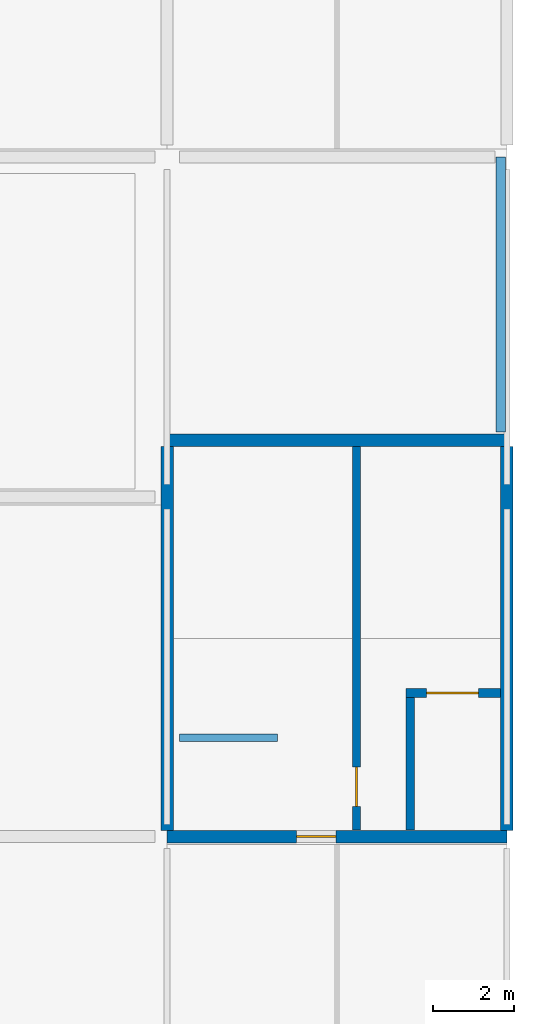
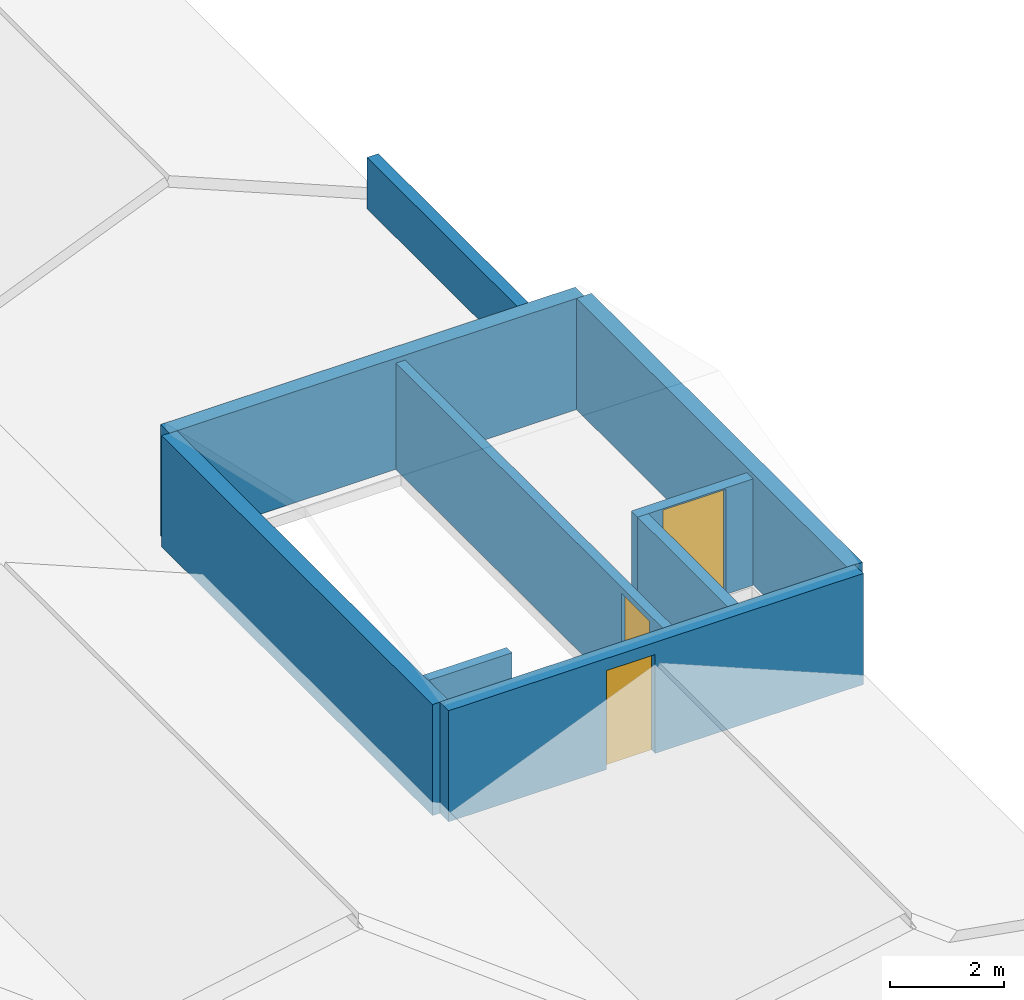
# One storey, part 13 of 14: 9 walls, 3 doors, 3 openings.
"""IFC4 building model written with IfcOpenShell, lengths in metres."""

import ifcopenshell
import ifcopenshell.guid

model = None  # the IFC model being written
_history = None  # IfcOwnerHistory: only IFC2X3 demands one
_inside = {}  # id of a spatial element -> (the spatial element, [elements in it])
_under = {}  # id of a project, library or spatial element -> (it, [spatial elements below it])
_declared = {}  # id of a project -> (the project, [libraries it declares])
_typed = {}  # id of a type object -> (the type object, [elements of that type])
_made_of = {}  # id of a material, layer set ... -> (it, [elements and type objects made of it])


def new_model(schema):
    """Start an empty IFC model of exactly this schema.

    Asked for "IFC4X3", IfcOpenShell would pick the latest addendum, in which some entities
    have other attributes; the version numbers below select the first issue.
    IFC2X3 requires an IfcOwnerHistory on every rooted entity: one is made here for all.
    """
    global model, _history
    if schema == "IFC4X3":
        model = ifcopenshell.file(schema_version=(4, 3, 0, 0))
    else:
        model = ifcopenshell.file(schema=schema)
    _inside.clear()
    _under.clear()
    _declared.clear()
    _typed.clear()
    _made_of.clear()
    _history = None
    if model.schema == "IFC2X3":
        org = make("IfcOrganization", Name="unknown")
        user = make(
            "IfcPersonAndOrganization",
            ThePerson=make("IfcPerson", FamilyName="unknown"),
            TheOrganization=org,
        )
        app = make(
            "IfcApplication",
            ApplicationDeveloper=org,
            Version="unknown",
            ApplicationFullName="unknown",
            ApplicationIdentifier="unknown",
        )
        _history = make(
            "IfcOwnerHistory",
            OwningUser=user,
            OwningApplication=app,
            ChangeAction="ADDED",
            CreationDate=0,
        )
    return model


def make(cls, **values):
    """One entity of the class cls with the attributes given. An attribute that is None is left unset."""
    return model.create_entity(
        cls, **{name: value for name, value in values.items() if value is not None}
    )


def rooted(cls, **values):
    """An entity with a GlobalId (a new one), such as an element, a storey or a relation."""
    return make(cls, GlobalId=ifcopenshell.guid.new(), OwnerHistory=_history, **values)


def si_unit(unit_type, name, prefix=None):
    """IfcSIUnit, for example si_unit("LENGTHUNIT", "METRE", prefix="MILLI")."""
    return make("IfcSIUnit", UnitType=unit_type, Prefix=prefix, Name=name)


def assignment(units):
    """IfcUnitAssignment: the units of a project."""
    return None if units is None else make("IfcUnitAssignment", Units=units)


def point(xyz):
    """IfcCartesianPoint."""
    return None if xyz is None else make("IfcCartesianPoint", Coordinates=xyz)


def direction(xyz):
    """IfcDirection."""
    return None if xyz is None else make("IfcDirection", DirectionRatios=xyz)


def frame(location, z_axis=None, x_axis=None):
    """IfcAxis2Placement3D, a coordinate frame: its origin and axes. An axis left out is left unset."""
    return make(
        "IfcAxis2Placement3D",
        Location=point(location),
        Axis=direction(z_axis),
        RefDirection=direction(x_axis),
    )


def frame_2d(location, x_axis=None):
    """IfcAxis2Placement2D, a coordinate frame in the plane: its origin and x axis."""
    return make(
        "IfcAxis2Placement2D", Location=point(location), RefDirection=direction(x_axis)
    )


def origin():
    """The frame at (0, 0, 0) with its axes left unset."""
    return frame((0.0, 0.0, 0.0))


def place(relative_to, where):
    """IfcLocalPlacement: puts the frame where relative to a parent placement (None: the world)."""
    return make(
        "IfcLocalPlacement", PlacementRelTo=relative_to, RelativePlacement=where
    )


def context(
    kind, dimensions, precision=None, world=None, true_north=None, identifier=None
):
    """IfcGeometricRepresentationContext, for example the 3D "Model" context."""
    return make(
        "IfcGeometricRepresentationContext",
        ContextIdentifier=identifier,
        ContextType=kind,
        CoordinateSpaceDimension=dimensions,
        Precision=precision,
        WorldCoordinateSystem=world,
        TrueNorth=true_north,
    )


def subcontext(parent, identifier, kind, view, scale=None):
    """IfcGeometricRepresentationSubContext, for example "Body" below "Model"."""
    return make(
        "IfcGeometricRepresentationSubContext",
        ContextIdentifier=identifier,
        ContextType=kind,
        ParentContext=parent,
        TargetScale=scale,
        TargetView=view,
    )


def project(units=None, contexts=None):
    """IfcProject with its units and contexts."""
    return rooted(
        "IfcProject",
        Name="project",
        RepresentationContexts=contexts,
        UnitsInContext=assignment(units),
    )


def spatial(cls, under=None, at=None, **own):
    """A site, building, storey or space (cls), placed at a placement, below another one or the project."""
    s = rooted(cls, ObjectPlacement=at, **own)
    if under is not None:
        _under.setdefault(under.id(), (under, []))[1].append(s)
    return s


def profile(cls, at=None, kind="AREA", **sizes):
    """A parametric profile (cls). Its sizes go by their IFC names, for example OverallWidth=200.0."""
    return make(cls, ProfileType=kind, Position=at, **sizes)


def rectangle(**sizes):
    """IfcRectangleProfileDef."""
    return profile("IfcRectangleProfileDef", **sizes)


def extrude(swept, where, along, depth):
    """IfcExtrudedAreaSolid: the profile swept, set in the frame where, extruded along a direction by depth."""
    return make(
        "IfcExtrudedAreaSolid",
        SweptArea=swept,
        Position=where,
        ExtrudedDirection=direction(along),
        Depth=depth,
    )


def shape(context_of_items, identifier, shape_type, items):
    """IfcShapeRepresentation: the items that make up one representation, for example the "Body"."""
    return make(
        "IfcShapeRepresentation",
        ContextOfItems=context_of_items,
        RepresentationIdentifier=identifier,
        RepresentationType=shape_type,
        Items=items,
    )


def material(Name=None, Category=None):
    """IfcMaterial."""
    return make("IfcMaterial", Name=Name, Category=Category)


def layer(
    of_material, thickness, ventilated=None, Name=None, Category=None, Priority=None
):
    """IfcMaterialLayer: one layer of a wall or slab, of a material (None: an air gap)."""
    return make(
        "IfcMaterialLayer",
        Material=of_material,
        LayerThickness=thickness,
        IsVentilated=ventilated,
        Name=Name,
        Category=Category,
        Priority=Priority,
    )


def layer_set(layers, Name=None):
    """IfcMaterialLayerSet."""
    return make("IfcMaterialLayerSet", MaterialLayers=layers, LayerSetName=Name)


def made_of(thing, what):
    """Note that an element or type object is made of a material, layer set ...; save() writes the relation."""
    if what is not None:
        _made_of.setdefault(what.id(), (what, []))[1].append(thing)
    return thing


def type_object(cls, material=None, **own):
    """A type object (cls), such as IfcWallType, which elements share."""
    return made_of(rooted(cls, **own), material)


def element(
    cls,
    number,
    at=None,
    inside=None,
    cuts=None,
    type_object=None,
    material=None,
    context=None,
    identifier="Body",
    shape_type=None,
    held_by="IfcProductDefinitionShape",
    body=None,
    shapes=None,
    **own,
):
    """One element of the class cls, such as IfcWall. Its Tag is "e" and its number.

    at: its placement. inside: the storey or other place that contains it. cuts: it is an
    opening in that element (IfcRelVoidsElement). A single representation is given by context,
    identifier, shape_type and body (its items); several are given by shapes. held_by: the class
    of the entity that holds the representations. save() writes the other relations.
    """
    e = rooted(cls, Tag="e%d" % number, ObjectPlacement=at, **own)
    if body is not None:
        shapes = [shape(context, identifier, shape_type, body)]
    if shapes is not None:
        e.Representation = make(held_by, Representations=shapes)
    if inside is not None:
        _inside.setdefault(inside.id(), (inside, []))[1].append(e)
    if cuts is not None:
        rooted(
            "IfcRelVoidsElement", RelatingBuildingElement=cuts, RelatedOpeningElement=e
        )
    if type_object is not None:
        _typed.setdefault(type_object.id(), (type_object, []))[1].append(e)
    return made_of(e, material)


def fill(opening, filler):
    """IfcRelFillsElement: the door or window that sits in an opening."""
    return rooted(
        "IfcRelFillsElement",
        RelatingOpeningElement=opening,
        RelatedBuildingElement=filler,
    )


def aggregate(whole, parts):
    """IfcRelAggregates: a whole, such as a stair, and the parts it consists of."""
    return rooted("IfcRelAggregates", RelatingObject=whole, RelatedObjects=parts)


def save(model, path):
    """Write the relations noted so far, then the file.

    IfcRelAggregates (storeys below a building ...), IfcRelContainedInSpatialStructure (elements
    in a storey), IfcRelDefinesByType, IfcRelAssociatesMaterial and IfcRelDeclares: one each for
    every whole, place, type object, material and project.
    """
    for whole, parts in _under.values():
        aggregate(whole, parts)
    for where, things in _inside.values():
        rooted(
            "IfcRelContainedInSpatialStructure",
            RelatedElements=things,
            RelatingStructure=where,
        )
    for kind, things in _typed.values():
        rooted("IfcRelDefinesByType", RelatedObjects=things, RelatingType=kind)
    for what, things in _made_of.values():
        rooted("IfcRelAssociatesMaterial", RelatedObjects=things, RelatingMaterial=what)
    for by, libraries in _declared.values():
        rooted("IfcRelDeclares", RelatingContext=by, RelatedDefinitions=libraries)
    model.write(path)


model = new_model("IFC4")

# Units and contexts
model_context = context("Model", 3, precision=1e-05, world=origin(), true_north=direction((0.0, 1.0)))
body_context = subcontext(model_context, "Body", "Model", "MODEL_VIEW")
ifc_project = project(units=[si_unit("LENGTHUNIT", "METRE"), si_unit("AREAUNIT", "SQUARE_METRE"), si_unit("VOLUMEUNIT", "CUBIC_METRE"), si_unit("PLANEANGLEUNIT", "RADIAN"), si_unit("MASSUNIT", "GRAM", prefix="KILO")], contexts=[model_context])

# Site, building, storey
site_placement = place(None, origin())
site = spatial("IfcSite", under=ifc_project, at=site_placement, CompositionType="ELEMENT")
building_placement = place(site_placement, origin())
building = spatial("IfcBuilding", under=site, at=building_placement, Name="Qawsi Khor Wholesale Market", CompositionType="ELEMENT")
storey_placement = place(building_placement, frame((0.0, 0.0, 20.699951171875)))
storey = spatial("IfcBuildingStorey", under=building, at=storey_placement, Name="RF", CompositionType="ELEMENT", Elevation=20.699951171875)

# Wall
ifc_material_1 = material(Name="Concrete C40/50", Category="concrete")
ifc_layer_1 = layer(ifc_material_1, 0.219970703125, Name="Concrete C40/50")
ifc_layer_set_1 = layer_set([ifc_layer_1], Name="Concrete C40/50")
wall_type_1 = type_object("IfcWallType", Name="Lift & Stair Shaft Wall RC 220", PredefinedType="SOLIDWALL", material=ifc_layer_set_1)
wall_1_placement = place(storey_placement, frame((123.610107421875, 8.56005859375, 0.0), z_axis=(0.0, 0.0, 1.0), x_axis=(0.0, 1.0, 0.0)))
element("IfcWall", 1, at=wall_1_placement, inside=storey, type_object=wall_type_1, Name="Lift FF-02 shaft wall W RF", PredefinedType="SOLIDWALL", context=body_context, shape_type="SweptSolid", body=[
    extrude(rectangle(XDim=3.389892578125, YDim=0.219970703125, at=frame_2d((1.69482421875, 0.0))), origin(), (0.0, 0.0, 1.0), 2.280029296875),
])

# Wall, opening, door
wall_2_placement = place(storey_placement, frame((123.5, 11.949951171875, 0.0), z_axis=(0.0, 0.0, 1.0), x_axis=(1.0, 0.0, 0.0)))
wall_2 = element("IfcWall", 2, at=wall_2_placement, inside=storey, type_object=wall_type_1, Name="Lift FF-02 shaft wall N RF", PredefinedType="SOLIDWALL", context=body_context, shape_type="SweptSolid", body=[
    extrude(rectangle(XDim=2.340087890625, YDim=0.219970703125, at=frame_2d((1.169921875, 0.0))), origin(), (0.0, 0.0, 1.0), 2.280029296875),
])
opening_1_placement = place(wall_2_placement, frame((0.514892578125, 0.0, 0.0)))
opening_1 = element("IfcOpeningElement", 3, at=opening_1_placement, cuts=wall_2, Name="Opening LD-FF130", PredefinedType="OPENING", context=body_context, shape_type="SweptSolid", body=[
    extrude(rectangle(XDim=1.280029296875, YDim=2.25, at=frame_2d((0.64013671875, 1.125))), frame((0.0, 0.119873046875, 0.0), z_axis=(0.0, -1.0, 0.0), x_axis=(1.0, 0.0, 0.0)), (0.0, 0.0, 1.0), 0.239990234375),
])
ifc_material_2 = material(Name="Brushed Stainless Steel", Category="steel")
door_type_1 = type_object("IfcDoorType", Name="Firefighting Lift Landing Sliding Door 1280x2250 FD90S", OperationType="NOTDEFINED", PredefinedType="DOOR", material=ifc_material_2)
door_1_placement = place(opening_1_placement, origin())
door_1 = element("IfcDoor", 4, at=door_1_placement, inside=storey, type_object=door_type_1, Name="Lift FF-02 landing door RF", OperationType="SLIDING_TO_LEFT", OverallHeight=2.25, OverallWidth=1.280029296875, PredefinedType="DOOR", context=body_context, shape_type="SweptSolid", body=[
    extrude(rectangle(XDim=1.280029296875, YDim=2.25, at=frame_2d((0.64013671875, 1.125))), frame((0.0, 0.02490234375, 0.0), z_axis=(0.0, -1.0, 0.0), x_axis=(1.0, 0.0, 0.0)), (0.0, 0.0, 1.0), 0.050048828125),
])
fill(opening_1, door_1)

ifc_layer_2 = layer(ifc_material_1, 0.31005859375, Name="Concrete C40/50")
ifc_layer_set_2 = layer_set([ifc_layer_2], Name="Concrete C40/50")
wall_type_2 = type_object("IfcWallType", Name="Roof Headhouse Concrete Wall 310", PredefinedType="SOLIDWALL", material=ifc_layer_set_2)
wall_3_placement = place(storey_placement, frame((126.0, 8.39990234375, 0.0), z_axis=(0.0, 0.0, 1.0), x_axis=(-1.0, 0.0, 0.0)))
wall_3 = element("IfcWall", 5, at=wall_3_placement, inside=storey, type_object=wall_type_2, Name="HH-S-C04", PredefinedType="SOLIDWALL", context=body_context, shape_type="SweptSolid", body=[
    extrude(rectangle(XDim=8.39990234375, YDim=0.31005859375, at=frame_2d((4.199951171875, 0.0))), origin(), (0.0, 0.0, 1.0), 2.380126953125),
])
opening_2_placement = place(wall_3_placement, frame((4.219970703125, 0.0, 0.0)))
opening_2 = element("IfcOpeningElement", 6, at=opening_2_placement, cuts=wall_3, Name="Opening ED-09", PredefinedType="OPENING", context=body_context, shape_type="SweptSolid", body=[
    extrude(rectangle(XDim=0.97998046875, YDim=2.1201171875, at=frame_2d((0.489990234375, 1.06005859375))), frame((0.0, 0.1650390625, 0.0), z_axis=(0.0, -1.0, 0.0), x_axis=(1.0, 0.0, 0.0)), (0.0, 0.0, 1.0), 0.330078125),
])
ifc_material_3 = material(Name="Powder-Coated Galvanised Steel & Glazing", Category="steel")
door_type_2 = type_object("IfcDoorType", Name="Roof Headhouse Access Door 980x2120 FD60S", OperationType="NOTDEFINED", PredefinedType="DOOR", material=ifc_material_3)
door_2_placement = place(opening_2_placement, origin())
door_2 = element("IfcDoor", 7, at=door_2_placement, inside=storey, type_object=door_type_2, Name="Roof maintenance door C04", OperationType="SINGLE_SWING_RIGHT", OverallHeight=2.1201171875, OverallWidth=0.97998046875, PredefinedType="DOOR", context=body_context, shape_type="SweptSolid", body=[
    extrude(rectangle(XDim=0.97998046875, YDim=2.1201171875, at=frame_2d((0.489990234375, 1.06005859375))), frame((0.0, 0.02490234375, 0.0), z_axis=(0.0, -1.0, 0.0), x_axis=(1.0, 0.0, 0.0)), (0.0, 0.0, 1.0), 0.050048828125),
])
fill(opening_2, door_2)

# Walls
wall_4_placement = place(storey_placement, frame((117.60009765625, 18.199951171875, 0.0), z_axis=(0.0, 0.0, 1.0), x_axis=(1.0, 0.0, 0.0)))
element("IfcWall", 8, at=wall_4_placement, inside=storey, type_object=wall_type_2, Name="HH-N-C04", PredefinedType="SOLIDWALL", context=body_context, shape_type="SweptSolid", body=[
    extrude(rectangle(XDim=8.39990234375, YDim=0.31005859375, at=frame_2d((4.199951171875, 0.0))), origin(), (0.0, 0.0, 1.0), 2.380126953125),
])
for number, where, z_axis, x_axis, name in (
    (9, (117.60009765625, 8.550048828125, 0.0), (0.0, 0.0, 1.0), (0.0, 1.0, 0.0), "HH-W-C04"),
    (10, (126.0, 18.050048828125, 0.0), (0.0, 0.0, 1.0), (0.0, -1.0, 0.0), "HH-E-C04"),
):
    element("IfcWall", number, at=place(storey_placement, frame(where, z_axis=z_axis, x_axis=x_axis)), inside=storey, type_object=wall_type_2, Name=name, PredefinedType="SOLIDWALL", context=body_context, shape_type="SweptSolid", body=[
        extrude(rectangle(XDim=9.5, YDim=0.31005859375, at=frame_2d((4.75, 0.0))), origin(), (0.0, 0.0, 1.0), 2.380126953125),
    ])
ifc_layer_3 = layer(ifc_material_1, 0.22998046875, Name="Concrete C40/50")
ifc_layer_set_3 = layer_set([ifc_layer_3], Name="Concrete C40/50")
wall_type_3 = type_object("IfcWallType", Name="Roof Parapet Upstand Wall 230", PredefinedType="PARAPET", material=ifc_layer_set_3)
wall_5_placement = place(storey_placement, frame((125.85009765625, 18.39990234375, 0.0), z_axis=(0.0, 0.0, 1.0), x_axis=(0.0, 1.0, 0.0)))
element("IfcWall", 11, at=wall_5_placement, inside=storey, type_object=wall_type_3, Name="Roof parapet PRP-RF-E", PredefinedType="PARAPET", context=body_context, shape_type="SweptSolid", body=[
    extrude(rectangle(XDim=6.800048828125, YDim=0.22998046875, at=frame_2d((3.39990234375, 0.0))), origin(), (0.0, 0.0, 1.0), 1.10009765625),
])

# Wall, opening, door
ifc_layer_4 = layer(ifc_material_1, 0.18994140625, Name="Concrete C40/50")
ifc_layer_set_4 = layer_set([ifc_layer_4], Name="Concrete C40/50")
wall_type_4 = type_object("IfcWallType", Name="Stairwell Enclosure Wall RC 190", PredefinedType="SOLIDWALL", material=ifc_layer_set_4)
wall_6_placement = place(storey_placement, frame((122.280029296875, 8.56005859375, 0.0), z_axis=(0.0, 0.0, 1.0), x_axis=(0.0, 1.0, 0.0)))
wall_6 = element("IfcWall", 12, at=wall_6_placement, inside=storey, type_object=wall_type_4, Name="Core C04 headhouse stairwell wall RF", PredefinedType="SOLIDWALL", context=body_context, shape_type="SweptSolid", body=[
    extrude(rectangle(XDim=9.47998046875, YDim=0.18994140625, at=frame_2d((4.739990234375, 0.0))), origin(), (0.0, 0.0, 1.0), 2.280029296875),
])
opening_3_placement = place(wall_6_placement, frame((0.580078125, 0.0, 0.0)))
opening_3 = element("IfcOpeningElement", 13, at=opening_3_placement, cuts=wall_6, Name="Opening ID-17", PredefinedType="OPENING", context=body_context, shape_type="SweptSolid", body=[
    extrude(rectangle(XDim=0.97998046875, YDim=2.14990234375, at=frame_2d((0.489990234375, 1.074951171875))), frame((0.0, 0.10498046875, 0.0), z_axis=(0.0, -1.0, 0.0), x_axis=(1.0, 0.0, 0.0)), (0.0, 0.0, 1.0), 0.2099609375),
])
ifc_material_4 = material(Name="Steel Fire Door", Category="steel")
door_type_3 = type_object("IfcDoorType", Name="Core Stair Lobby Fire Door 980x2150 FD120S", OperationType="NOTDEFINED", PredefinedType="DOOR", material=ifc_material_4)
door_3_placement = place(opening_3_placement, origin())
door_3 = element("IfcDoor", 14, at=door_3_placement, inside=storey, type_object=door_type_3, Name="Core C04 headhouse stair door RF", OperationType="SINGLE_SWING_LEFT", OverallHeight=2.14990234375, OverallWidth=0.97998046875, PredefinedType="DOOR", context=body_context, shape_type="SweptSolid", body=[
    extrude(rectangle(XDim=0.97998046875, YDim=2.14990234375, at=frame_2d((0.489990234375, 1.074951171875))), frame((0.0, 0.02490234375, 0.0), z_axis=(0.0, -1.0, 0.0), x_axis=(1.0, 0.0, 0.0)), (0.0, 0.0, 1.0), 0.050048828125),
])
fill(opening_3, door_3)

# Wall
wall_7_placement = place(storey_placement, frame((117.89990234375, 10.840087890625, 0.0), z_axis=(0.0, 0.0, 1.0), x_axis=(1.0, 0.0, 0.0)))
element("IfcWall", 15, at=wall_7_placement, inside=storey, type_object=wall_type_4, Name="Core C04 headhouse stairwell curb RF", PredefinedType="SOLIDWALL", context=body_context, shape_type="SweptSolid", body=[
    extrude(rectangle(XDim=2.43017578125, YDim=0.18994140625, at=frame_2d((1.215087890625, 0.0))), origin(), (0.0, 0.0, 1.0), 1.150146484375),
])

save(model, "model.ifc")
